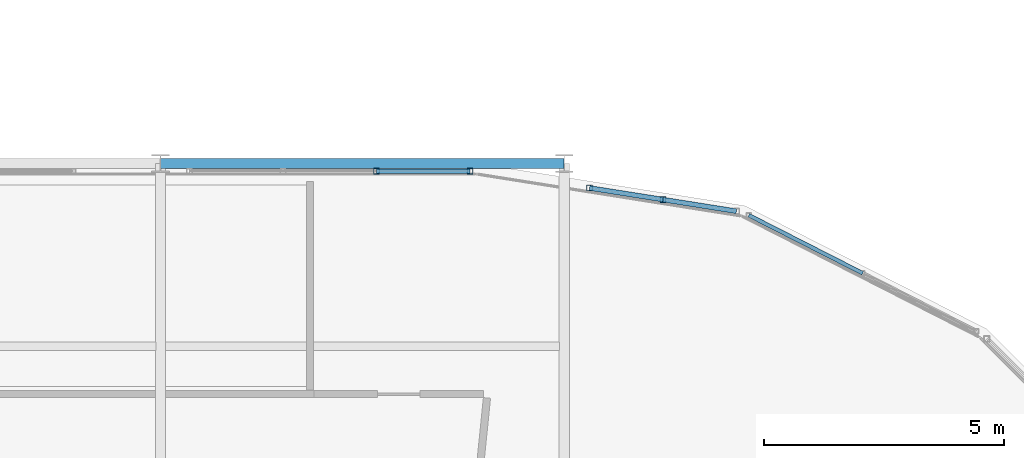
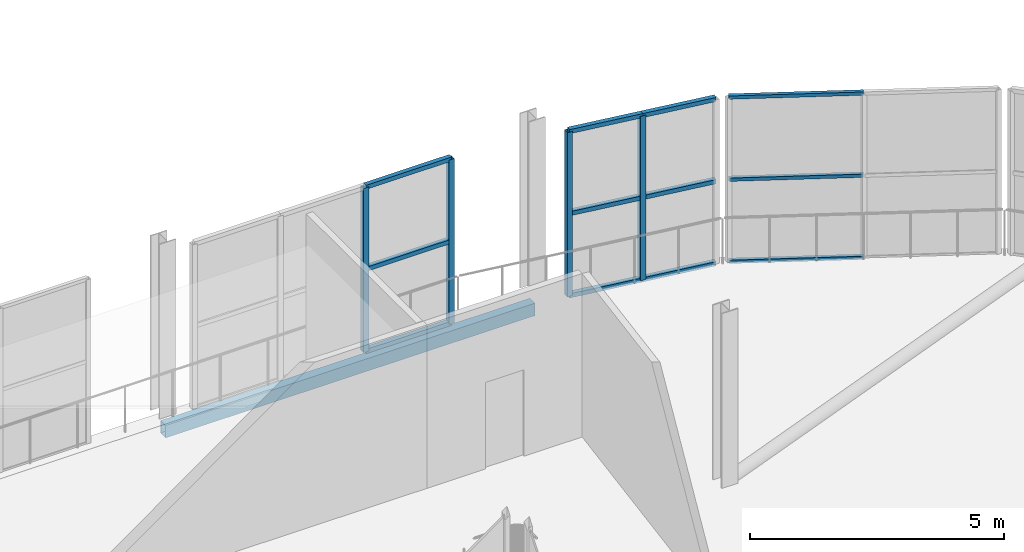
# One storey, part 160 of 217: 16 members, 1 beam, 3 elements without a shape of their own.
"""IFC4 building model written with IfcOpenShell, lengths in metres."""

from ifc_helpers import new_model, si_unit, direction, frame, origin, origin_2d, place, context, subcontext, project, spatial, hollow_rectangle, extrude, material, material_profile, profile_set, type_object, element, aggregate, save


model = new_model("IFC4")

# Units and contexts
model_context = context("Model", 3, precision=1e-05, world=origin(), true_north=direction((0.0, 1.0)))
body_context = subcontext(model_context, "Body", "Model", "MODEL_VIEW")
ifc_project = project(units=[si_unit("LENGTHUNIT", "METRE"), si_unit("AREAUNIT", "SQUARE_METRE"), si_unit("VOLUMEUNIT", "CUBIC_METRE"), si_unit("PLANEANGLEUNIT", "RADIAN"), si_unit("MASSUNIT", "GRAM", prefix="KILO")], contexts=[model_context])

# Site, building, storey
site_placement = place(None, origin())
site = spatial("IfcSite", under=ifc_project, at=site_placement, CompositionType="ELEMENT")
building_placement = place(site_placement, origin())
building = spatial("IfcBuilding", under=site, at=building_placement, Name="Zuvorla Pavilion Media Centre", CompositionType="ELEMENT")
storey_placement = place(building_placement, frame((0.0, 0.0, 9.60009765625)))
storey = spatial("IfcBuildingStorey", under=building, at=storey_placement, Name="L02", CompositionType="ELEMENT", Elevation=9.60009765625)

# Beam
ifc_material_1 = material(Name="Steel S355", Category="steel")
ifc_material_profile_1 = material_profile(ifc_material_1, hollow_rectangle(XDim=0.199951171875, YDim=0.300048828125, WallThickness=0.012451171875, at=origin_2d()), Name="RHS 300x200x12.5")
ifc_profile_set_1 = profile_set([ifc_material_profile_1], Name="Steel S355")
beam_type = type_object("IfcBeamType", Name="BM-SP-RHS300", PredefinedType="SPANDREL", material=ifc_profile_set_1)
beam_placement = place(storey_placement, frame((150.800048828125, 89.60009765625, -0.418212890625), z_axis=(1.0, 0.0, 0.0), x_axis=(0.0, 1.0, 0.0)))
element("IfcBeam", 1, at=beam_placement, inside=storey, type_object=beam_type, Name="L02 spandrel SP01 890", PredefinedType="SPANDREL", context=body_context, shape_type="SweptSolid", body=[
    extrude(hollow_rectangle(XDim=0.199951171875, YDim=0.300048828125, WallThickness=0.012451171875, at=origin_2d()), origin(), (0.0, 0.0, 1.0), 8.39990234375),
])

# Curtain wall, members
ifc_material_2 = material(Name="Unitised anodised aluminium and solar glass curtain wall", Category="aluminium")
curtain_wall_type_1 = type_object("IfcCurtainWallType", Name="CW-SYS-06", PredefinedType="USERDEFINED", material=ifc_material_2)
curtain_wall_1_placement = place(storey_placement, origin())
curtain_wall_1 = element("IfcCurtainWall", 2, at=curtain_wall_1_placement, inside=storey, type_object=curtain_wall_type_1, Name="L02 curtain wall CW06 11", ObjectType="CURTAIN WALL", PredefinedType="USERDEFINED")
ifc_material_3 = material(Name="Anodised aluminium 6063-T6", Category="aluminium")
ifc_material_profile_2 = material_profile(ifc_material_3, hollow_rectangle(XDim=0.1201171875, YDim=0.1201171875, WallThickness=0.0048828125, at=origin_2d()), Name="ALU MULL 120x120")
ifc_profile_set_2 = profile_set([ifc_material_profile_2], Name="Anodised aluminium 6063-T6")
member_type_1 = type_object("IfcMemberType", Name="CW-MULL-120", PredefinedType="MULLION", material=ifc_profile_set_2)
member_1_placement = place(storey_placement, frame((161.254638671875, 88.84765625, 0.0), z_axis=(0.0, 0.0, 1.0), x_axis=(1.0, 0.0, 0.0)))
member_1 = element("IfcMember", 3, at=member_1_placement, type_object=member_type_1, Name="CW06 mullion 2", PredefinedType="MULLION", context=body_context, shape_type="SweptSolid", body=[
    extrude(hollow_rectangle(XDim=0.1201171875, YDim=0.1201171875, WallThickness=0.0048828125, at=origin_2d()), origin(), (0.0, 0.0, 1.0), 3.949951171875),
])
member_2_placement = place(storey_placement, frame((159.726806640625, 89.089599609375, 0.0), z_axis=(0.0, 0.0, 1.0), x_axis=(1.0, 0.0, 0.0)))
member_2 = element("IfcMember", 4, at=member_2_placement, type_object=member_type_1, Name="CW06 mullion 3", PredefinedType="MULLION", context=body_context, shape_type="SweptSolid", body=[
    extrude(hollow_rectangle(XDim=0.1201171875, YDim=0.1201171875, WallThickness=0.0048828125, at=origin_2d()), origin(), (0.0, 0.0, 1.0), 3.949951171875),
])

curtain_wall_type_2 = type_object("IfcCurtainWallType", Name="CW-SYS-07", PredefinedType="USERDEFINED", material=ifc_material_2)
curtain_wall_2_placement = place(storey_placement, origin())
curtain_wall_2 = element("IfcCurtainWall", 5, at=curtain_wall_2_placement, inside=storey, type_object=curtain_wall_type_2, Name="L02 curtain wall CW07 12", ObjectType="CURTAIN WALL", PredefinedType="USERDEFINED")
member_3_placement = place(storey_placement, frame((157.239990234375, 89.43994140625, 0.0), z_axis=(0.0, 0.0, 1.0), x_axis=(1.0, 0.0, 0.0)))
member_3 = element("IfcMember", 6, at=member_3_placement, type_object=member_type_1, Name="CW07 mullion 1", PredefinedType="MULLION", context=body_context, shape_type="SweptSolid", body=[
    extrude(hollow_rectangle(XDim=0.1201171875, YDim=0.1201171875, WallThickness=0.0048828125, at=origin_2d()), origin(), (0.0, 0.0, 1.0), 3.949951171875),
])
member_4_placement = place(storey_placement, frame((155.29345703125, 89.43994140625, 0.0), z_axis=(0.0, 0.0, 1.0), x_axis=(1.0, 0.0, 0.0)))
member_4 = element("IfcMember", 7, at=member_4_placement, type_object=member_type_1, Name="CW07 mullion 2", PredefinedType="MULLION", context=body_context, shape_type="SweptSolid", body=[
    extrude(hollow_rectangle(XDim=0.1201171875, YDim=0.1201171875, WallThickness=0.0048828125, at=origin_2d()), origin(), (0.0, 0.0, 1.0), 3.949951171875),
])

# Member
ifc_material_profile_3 = material_profile(ifc_material_3, hollow_rectangle(XDim=0.10009765625, YDim=0.10009765625, WallThickness=0.00439453125, at=origin_2d()), Name="ALU TRAN 100x100")
ifc_profile_set_3 = profile_set([ifc_material_profile_3], Name="Anodised aluminium 6063-T6")
member_type_2 = type_object("IfcMemberType", Name="CW-TRAN-100", PredefinedType="USERDEFINED", material=ifc_profile_set_3)
member_5_placement = place(storey_placement, frame((162.782470703125, 88.605712890625, 0.0), z_axis=(-0.987692481644, 0.156408317243, 0.0), x_axis=(-0.156408317243, -0.987692481644, 0.0)))
member_5 = element("IfcMember", 8, at=member_5_placement, type_object=member_type_2, Name="CW06 transom 1.1", ObjectType="TRANSOM", PredefinedType="USERDEFINED", context=body_context, shape_type="SweptSolid", body=[
    extrude(hollow_rectangle(XDim=0.10009765625, YDim=0.10009765625, WallThickness=0.00439453125, at=origin_2d()), origin(), (0.0, 0.0, 1.0), 1.546875),
])

member_6_placement = place(storey_placement, frame((162.782470703125, 88.605712890625, 1.974853515625), z_axis=(-0.987692481644, 0.156408317243, 0.0), x_axis=(-0.156408317243, -0.987692481644, 0.0)))
member_6 = element("IfcMember", 9, at=member_6_placement, type_object=member_type_2, Name="CW06 transom 1.2", ObjectType="TRANSOM", PredefinedType="USERDEFINED", context=body_context, shape_type="SweptSolid", body=[
    extrude(hollow_rectangle(XDim=0.10009765625, YDim=0.10009765625, WallThickness=0.00439453125, at=origin_2d()), origin(), (0.0, 0.0, 1.0), 1.546875),
])

member_7_placement = place(storey_placement, frame((162.782470703125, 88.605712890625, 3.949951171875), z_axis=(-0.987692481644, 0.156408317243, 0.0), x_axis=(-0.156408317243, -0.987692481644, 0.0)))
member_7 = element("IfcMember", 10, at=member_7_placement, type_object=member_type_2, Name="CW06 transom 1.3", ObjectType="TRANSOM", PredefinedType="USERDEFINED", context=body_context, shape_type="SweptSolid", body=[
    extrude(hollow_rectangle(XDim=0.10009765625, YDim=0.10009765625, WallThickness=0.00439453125, at=origin_2d()), origin(), (0.0, 0.0, 1.0), 1.546875),
])

member_8_placement = place(storey_placement, frame((161.254638671875, 88.84765625, 0.0), z_axis=(-0.987692481644, 0.156408317243, 0.0), x_axis=(-0.156408317243, -0.987692481644, 0.0)))
member_8 = element("IfcMember", 11, at=member_8_placement, type_object=member_type_2, Name="CW06 transom 2.1", ObjectType="TRANSOM", PredefinedType="USERDEFINED", context=body_context, shape_type="SweptSolid", body=[
    extrude(hollow_rectangle(XDim=0.10009765625, YDim=0.10009765625, WallThickness=0.00439453125, at=origin_2d()), origin(), (0.0, 0.0, 1.0), 1.546875),
])

member_9_placement = place(storey_placement, frame((161.254638671875, 88.84765625, 1.974853515625), z_axis=(-0.987692481644, 0.156408317243, 0.0), x_axis=(-0.156408317243, -0.987692481644, 0.0)))
member_9 = element("IfcMember", 12, at=member_9_placement, type_object=member_type_2, Name="CW06 transom 2.2", ObjectType="TRANSOM", PredefinedType="USERDEFINED", context=body_context, shape_type="SweptSolid", body=[
    extrude(hollow_rectangle(XDim=0.10009765625, YDim=0.10009765625, WallThickness=0.00439453125, at=origin_2d()), origin(), (0.0, 0.0, 1.0), 1.546875),
])

member_10_placement = place(storey_placement, frame((161.254638671875, 88.84765625, 3.949951171875), z_axis=(-0.987692481644, 0.156408317243, 0.0), x_axis=(-0.156408317243, -0.987692481644, 0.0)))
member_10 = element("IfcMember", 13, at=member_10_placement, type_object=member_type_2, Name="CW06 transom 2.3", ObjectType="TRANSOM", PredefinedType="USERDEFINED", context=body_context, shape_type="SweptSolid", body=[
    extrude(hollow_rectangle(XDim=0.10009765625, YDim=0.10009765625, WallThickness=0.00439453125, at=origin_2d()), origin(), (0.0, 0.0, 1.0), 1.546875),
])

aggregate(curtain_wall_1, [member_1, member_2, member_5, member_6, member_7, member_8, member_9, member_10])

member_11_placement = place(storey_placement, frame((157.239990234375, 89.43994140625, 0.0), z_axis=(-1.0, 0.0, 0.0), x_axis=(0.0, -1.0, 0.0)))
member_11 = element("IfcMember", 14, at=member_11_placement, type_object=member_type_2, Name="CW07 transom 1.1", ObjectType="TRANSOM", PredefinedType="USERDEFINED", context=body_context, shape_type="SweptSolid", body=[
    extrude(hollow_rectangle(XDim=0.10009765625, YDim=0.10009765625, WallThickness=0.00439453125, at=origin_2d()), origin(), (0.0, 0.0, 1.0), 1.946533203125),
])

member_12_placement = place(storey_placement, frame((157.239990234375, 89.43994140625, 1.974853515625), z_axis=(-1.0, 0.0, 0.0), x_axis=(0.0, -1.0, 0.0)))
member_12 = element("IfcMember", 15, at=member_12_placement, type_object=member_type_2, Name="CW07 transom 1.2", ObjectType="TRANSOM", PredefinedType="USERDEFINED", context=body_context, shape_type="SweptSolid", body=[
    extrude(hollow_rectangle(XDim=0.10009765625, YDim=0.10009765625, WallThickness=0.00439453125, at=origin_2d()), origin(), (0.0, 0.0, 1.0), 1.946533203125),
])

member_13_placement = place(storey_placement, frame((157.239990234375, 89.43994140625, 3.949951171875), z_axis=(-1.0, 0.0, 0.0), x_axis=(0.0, -1.0, 0.0)))
member_13 = element("IfcMember", 16, at=member_13_placement, type_object=member_type_2, Name="CW07 transom 1.3", ObjectType="TRANSOM", PredefinedType="USERDEFINED", context=body_context, shape_type="SweptSolid", body=[
    extrude(hollow_rectangle(XDim=0.10009765625, YDim=0.10009765625, WallThickness=0.00439453125, at=origin_2d()), origin(), (0.0, 0.0, 1.0), 1.946533203125),
])

aggregate(curtain_wall_2, [member_3, member_4, member_11, member_12, member_13])

# Curtain wall, members
curtain_wall_type_3 = type_object("IfcCurtainWallType", Name="CW-SYS-04", PredefinedType="USERDEFINED", material=ifc_material_2)
curtain_wall_3_placement = place(storey_placement, origin())
curtain_wall_3 = element("IfcCurtainWall", 17, at=curtain_wall_3_placement, inside=storey, type_object=curtain_wall_type_3, Name="L02 curtain wall CW04 10", ObjectType="CURTAIN WALL", PredefinedType="USERDEFINED")
ifc_material_profile_4 = material_profile(ifc_material_3, hollow_rectangle(XDim=0.080078125, YDim=0.080078125, WallThickness=0.00390625, at=origin_2d()), Name="ALU TRAN 80x80")
ifc_profile_set_4 = profile_set([ifc_material_profile_4], Name="Anodised aluminium 6063-T6")
member_type_3 = type_object("IfcMemberType", Name="CW-TRAN-80", PredefinedType="USERDEFINED", material=ifc_profile_set_4)
member_14_placement = place(storey_placement, frame((165.40771484375, 87.31591796875, 0.0), z_axis=(-0.891037392272, 0.453929912622, 0.0), x_axis=(-0.453929912622, -0.891037392272, 0.0)))
member_14 = element("IfcMember", 18, at=member_14_placement, type_object=member_type_3, Name="CW04 transom 2.1", ObjectType="TRANSOM", PredefinedType="USERDEFINED", context=body_context, shape_type="SweptSolid", body=[
    extrude(hollow_rectangle(XDim=0.080078125, YDim=0.080078125, WallThickness=0.00390625, at=origin_2d()), origin(), (0.0, 0.0, 1.0), 2.65576171875),
])
member_15_placement = place(storey_placement, frame((165.40771484375, 87.31591796875, 1.974853515625), z_axis=(-0.891037392272, 0.453929912622, 0.0), x_axis=(-0.453929912622, -0.891037392272, 0.0)))
member_15 = element("IfcMember", 19, at=member_15_placement, type_object=member_type_3, Name="CW04 transom 2.2", ObjectType="TRANSOM", PredefinedType="USERDEFINED", context=body_context, shape_type="SweptSolid", body=[
    extrude(hollow_rectangle(XDim=0.080078125, YDim=0.080078125, WallThickness=0.00390625, at=origin_2d()), origin(), (0.0, 0.0, 1.0), 2.65576171875),
])
member_16_placement = place(storey_placement, frame((165.40771484375, 87.31591796875, 3.949951171875), z_axis=(-0.891037392272, 0.453929912622, 0.0), x_axis=(-0.453929912622, -0.891037392272, 0.0)))
member_16 = element("IfcMember", 20, at=member_16_placement, type_object=member_type_3, Name="CW04 transom 2.3", ObjectType="TRANSOM", PredefinedType="USERDEFINED", context=body_context, shape_type="SweptSolid", body=[
    extrude(hollow_rectangle(XDim=0.080078125, YDim=0.080078125, WallThickness=0.00390625, at=origin_2d()), origin(), (0.0, 0.0, 1.0), 2.65576171875),
])
aggregate(curtain_wall_3, [member_14, member_15, member_16])

save(model, "model.ifc")
